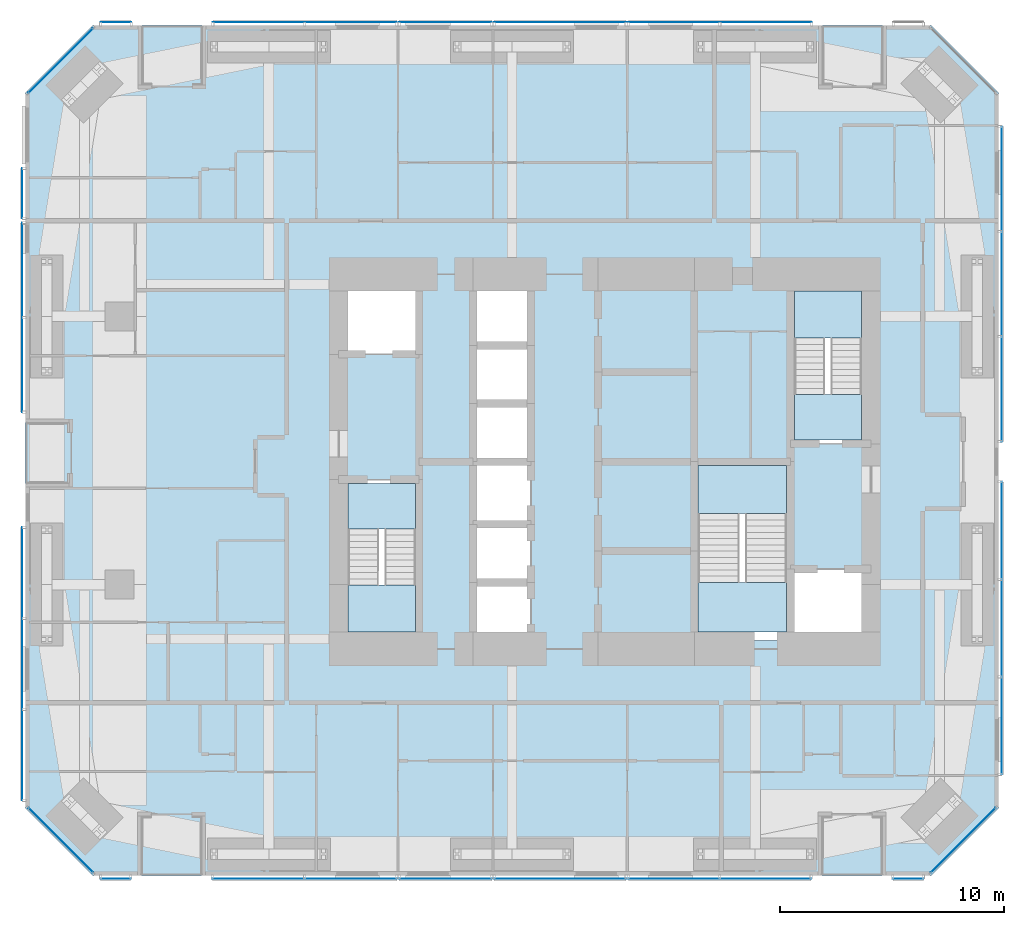
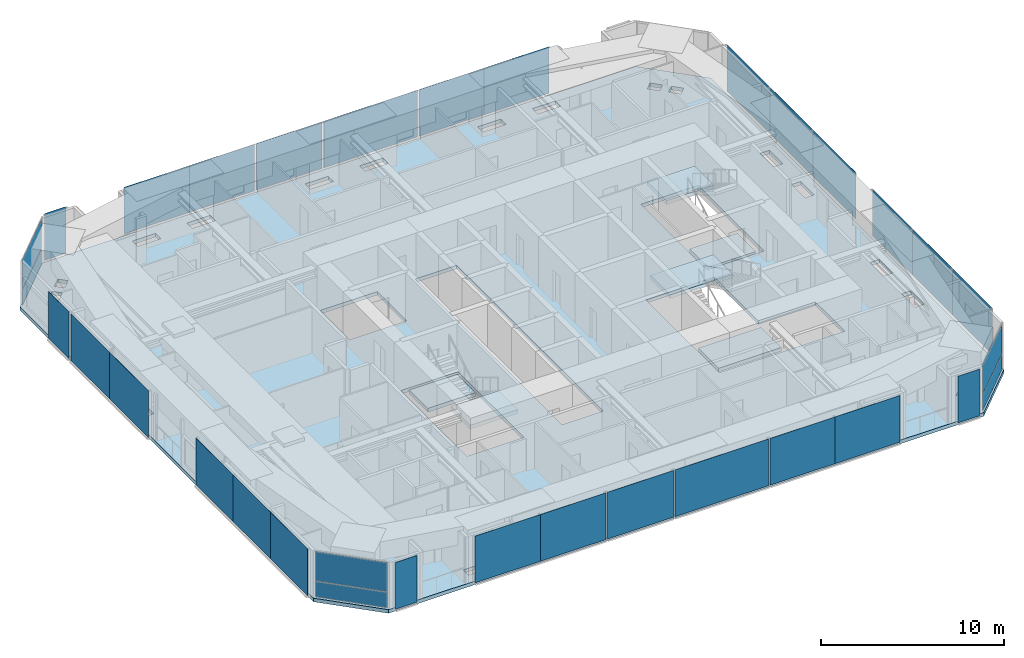
# One storey, part 15 of 23: 33 plates, 7 slabs, 22 elements without a shape of their own.
"""IFC4 building model written with IfcOpenShell, lengths in metres."""

from ifc_helpers import new_model, si_unit, direction, frame, origin, origin_2d, place, context, subcontext, project, spatial, polyline, rectangle, outline, extrude, material, layer, layer_set, type_object, element, aggregate, save


model = new_model("IFC4")

# Units and contexts
model_context = context("Model", 3, precision=1e-05, world=origin(), true_north=direction((0.0, 1.0)))
body_context = subcontext(model_context, "Body", "Model", "MODEL_VIEW")
ifc_project = project(units=[si_unit("LENGTHUNIT", "METRE"), si_unit("AREAUNIT", "SQUARE_METRE"), si_unit("VOLUMEUNIT", "CUBIC_METRE"), si_unit("PLANEANGLEUNIT", "RADIAN"), si_unit("MASSUNIT", "GRAM", prefix="KILO")], contexts=[model_context])

# Site, building, storey
site_placement = place(None, origin())
site = spatial("IfcSite", under=ifc_project, at=site_placement, CompositionType="ELEMENT")
building_placement = place(site_placement, origin())
building = spatial("IfcBuilding", under=site, at=building_placement, Name="Jalousie Tower", CompositionType="ELEMENT")
storey_placement = place(building_placement, frame((0.0, 0.0, 118.25)))
storey = spatial("IfcBuildingStorey", under=building, at=storey_placement, Name="L32", CompositionType="ELEMENT", Elevation=118.25)

# Curtain wall, plates
ifc_material_1 = material(Name="Aluminium curtain wall", Category="aluminium")
curtain_wall_type_1 = type_object("IfcCurtainWallType", Name="CORNER WINDOW WALL", PredefinedType="USERDEFINED", material=ifc_material_1)
curtain_wall_1_placement = place(storey_placement, origin())
curtain_wall_1 = element("IfcCurtainWall", 1, at=curtain_wall_1_placement, inside=storey, type_object=curtain_wall_type_1, Name="Corner Window Wall L32 2", ObjectType="CORNER WINDOW WALL", PredefinedType="USERDEFINED")
ifc_material_2 = material(Name="Laminated impact-rated spandrel glass", Category="glass")
ifc_layer_1 = layer(ifc_material_2, 0.028076171875)
ifc_layer_set_1 = layer_set([ifc_layer_1], Name="Laminated impact-rated spandrel glass")
plate_type_1 = type_object("IfcPlateType", Name="CORNER WINDOW WALL PANEL", PredefinedType="CURTAIN_PANEL", material=ifc_layer_set_1)
plate_1_placement = place(storey_placement, frame((47.9306640625, 1.5693359375, 0.06005859375), z_axis=(0.0, 0.0, 1.0), x_axis=(0.707106781187, 0.707106781187, 0.0)))
plate_1 = element("IfcPlate", 2, at=plate_1_placement, type_object=plate_type_1, Name="CW-C panel 1.1", PredefinedType="CURTAIN_PANEL", context=body_context, shape_type="SweptSolid", body=[
    extrude(rectangle(XDim=4.071533203125, YDim=0.028076171875, at=origin_2d()), origin(), (0.0, 0.0, 1.0), 1.010009765625),
])
plate_2_placement = place(storey_placement, frame((47.9306640625, 1.5693359375, 1.130126953125), z_axis=(0.0, 0.0, 1.0), x_axis=(0.707106781187, 0.707106781187, 0.0)))
plate_2 = element("IfcPlate", 3, at=plate_2_placement, type_object=plate_type_1, Name="CW-C panel 1.2", PredefinedType="CURTAIN_PANEL", context=body_context, shape_type="SweptSolid", body=[
    extrude(rectangle(XDim=4.071533203125, YDim=0.028076171875, at=origin_2d()), origin(), (0.0, 0.0, 1.0), 1.919921875),
])
aggregate(curtain_wall_1, [plate_1, plate_2])

curtain_wall_2_placement = place(storey_placement, origin())
curtain_wall_2 = element("IfcCurtainWall", 4, at=curtain_wall_2_placement, inside=storey, type_object=curtain_wall_type_1, Name="Corner Window Wall L32 6", ObjectType="CORNER WINDOW WALL", PredefinedType="USERDEFINED")
plate_3_placement = place(storey_placement, frame((7.5693359375, 36.4306640625, 0.06005859375), z_axis=(0.0, 0.0, 1.0), x_axis=(-0.707106781187, -0.707106781187, 0.0)))
plate_3 = element("IfcPlate", 5, at=plate_3_placement, type_object=plate_type_1, Name="CW-C panel 1.1", PredefinedType="CURTAIN_PANEL", context=body_context, shape_type="SweptSolid", body=[
    extrude(rectangle(XDim=4.071533203125, YDim=0.028076171875, at=origin_2d()), origin(), (0.0, 0.0, 1.0), 1.010009765625),
])
plate_4_placement = place(storey_placement, frame((7.5693359375, 36.4306640625, 1.130126953125), z_axis=(0.0, 0.0, 1.0), x_axis=(-0.707106781187, -0.707106781187, 0.0)))
plate_4 = element("IfcPlate", 6, at=plate_4_placement, type_object=plate_type_1, Name="CW-C panel 1.2", PredefinedType="CURTAIN_PANEL", context=body_context, shape_type="SweptSolid", body=[
    extrude(rectangle(XDim=4.071533203125, YDim=0.028076171875, at=origin_2d()), origin(), (0.0, 0.0, 1.0), 1.919921875),
])
aggregate(curtain_wall_2, [plate_3, plate_4])

curtain_wall_3_placement = place(storey_placement, origin())
curtain_wall_3 = element("IfcCurtainWall", 7, at=curtain_wall_3_placement, inside=storey, type_object=curtain_wall_type_1, Name="Corner Window Wall L32 8", ObjectType="CORNER WINDOW WALL", PredefinedType="USERDEFINED")
plate_5_placement = place(storey_placement, frame((7.5693359375, 1.5693359375, 0.06005859375), z_axis=(0.0, 0.0, 1.0), x_axis=(0.707106781187, -0.707106781187, 0.0)))
plate_5 = element("IfcPlate", 8, at=plate_5_placement, type_object=plate_type_1, Name="CW-C panel 1.1", PredefinedType="CURTAIN_PANEL", context=body_context, shape_type="SweptSolid", body=[
    extrude(rectangle(XDim=4.071533203125, YDim=0.028076171875, at=origin_2d()), origin(), (0.0, 0.0, 1.0), 1.010009765625),
])
plate_6_placement = place(storey_placement, frame((7.5693359375, 1.5693359375, 1.130126953125), z_axis=(0.0, 0.0, 1.0), x_axis=(0.707106781187, -0.707106781187, 0.0)))
plate_6 = element("IfcPlate", 9, at=plate_6_placement, type_object=plate_type_1, Name="CW-C panel 1.2", PredefinedType="CURTAIN_PANEL", context=body_context, shape_type="SweptSolid", body=[
    extrude(rectangle(XDim=4.071533203125, YDim=0.028076171875, at=origin_2d()), origin(), (0.0, 0.0, 1.0), 1.919921875),
])
aggregate(curtain_wall_3, [plate_5, plate_6])

# Slab
ifc_material_3 = material(Name="Concrete f'c 40 MPa", Category="concrete")
ifc_layer_2 = layer(ifc_material_3, 0.239990234375)
ifc_layer_set_2 = layer_set([ifc_layer_2], Name="Concrete f'c 40 MPa")
slab_type_1 = type_object("IfcSlabType", Name="FLOOR SLAB 240", PredefinedType="FLOOR", material=ifc_layer_set_2)
slab_1_placement = place(storey_placement, frame((0.0, 0.0, -0.239990234375)))
element("IfcSlab", 10, at=slab_1_placement, inside=storey, type_object=slab_type_1, Name="L32 floor slab", PredefinedType="FLOOR", context=body_context, shape_type="SweptSolid", body=[
    extrude(outline(polyline([(9.0, 0.0), (46.5, 0.0), (49.5, 3.0), (49.5, 35.0), (46.5, 38.0), (9.0, 38.0), (6.0, 35.0), (6.0, 3.0), (9.0, 0.0)]), holes=[polyline([(14.425048828125, 1.236083984375), (14.484619140625, 1.236083984375), (15.888916015625, 1.236083984375), (15.888916015625, 0.663818359375), (14.484619140625, 0.663818359375), (14.425048828125, 0.663818359375), (14.425048828125, 1.236083984375)]), polyline([(26.763916015625, 1.236083984375), (26.763916015625, 0.663818359375), (25.359619140625, 0.663818359375), (25.300048828125, 0.663818359375), (25.300048828125, 1.236083984375), (25.359619140625, 1.236083984375), (26.763916015625, 1.236083984375)]), polyline([(17.861083984375, 1.236083984375), (19.265380859375, 1.236083984375), (19.324951171875, 1.236083984375), (19.324951171875, 0.663818359375), (19.265380859375, 0.663818359375), (17.861083984375, 0.663818359375), (17.861083984375, 1.236083984375)]), polyline([(9.39453125, 2.27294921875), (9.505615234375, 2.162109375), (9.505615234375, 2.162109375), (9.302978515625, 1.959716796875), (9.1005859375, 1.75732421875), (8.98974609375, 1.868408203125), (8.98974609375, 1.868408203125), (8.604736328125, 2.25341796875), (9.009521484375, 2.658203125), (9.39453125, 2.27294921875)]), polyline([(7.75732421875, 3.1005859375), (8.162109375, 3.505615234375), (8.658203125, 3.009521484375), (8.25341796875, 2.604736328125), (7.75732421875, 3.1005859375)]), polyline([(7.236083984375, 10.550048828125), (6.663818359375, 10.550048828125), (6.663818359375, 10.609619140625), (6.663818359375, 12.013916015625), (7.236083984375, 12.013916015625), (7.236083984375, 10.609619140625), (7.236083984375, 10.550048828125)]), polyline([(26.0, 10.5), (26.0, 26.5), (28.60009765625, 26.5), (28.60009765625, 10.5), (26.0, 10.5)]), polyline([(20.0, 10.5), (23.60009765625, 10.5), (23.60009765625, 17.699951171875), (20.0, 17.699951171875), (20.0, 10.5)]), polyline([(7.236083984375, 15.390380859375), (7.236083984375, 13.986083984375), (6.663818359375, 13.986083984375), (6.663818359375, 15.390380859375), (6.663818359375, 15.449951171875), (7.236083984375, 15.449951171875), (7.236083984375, 15.390380859375)]), polyline([(6.663818359375, 24.013916015625), (7.236083984375, 24.013916015625), (7.236083984375, 22.609619140625), (7.236083984375, 22.550048828125), (6.663818359375, 22.550048828125), (6.663818359375, 22.609619140625), (6.663818359375, 24.013916015625)]), polyline([(20.0, 23.300048828125), (23.60009765625, 23.300048828125), (23.60009765625, 26.5), (20.0, 26.5), (20.0, 23.300048828125)]), polyline([(7.236083984375, 25.986083984375), (6.663818359375, 25.986083984375), (6.663818359375, 27.390380859375), (6.663818359375, 27.449951171875), (7.236083984375, 27.449951171875), (7.236083984375, 27.390380859375), (7.236083984375, 25.986083984375)]), polyline([(7.868408203125, 35.01025390625), (8.25341796875, 35.395263671875), (8.658203125, 34.990478515625), (8.162109375, 34.494384765625), (7.75732421875, 34.8994140625), (7.868408203125, 35.01025390625)]), polyline([(8.604736328125, 35.74658203125), (9.1005859375, 36.24267578125), (9.505615234375, 35.837890625), (9.39453125, 35.72705078125), (9.009521484375, 35.341796875), (8.604736328125, 35.74658203125)]), polyline([(26.763916015625, 36.763916015625), (25.359619140625, 36.763916015625), (25.300048828125, 36.763916015625), (25.300048828125, 37.336181640625), (25.359619140625, 37.336181640625), (26.763916015625, 37.336181640625), (26.763916015625, 36.763916015625)]), polyline([(19.324951171875, 37.336181640625), (19.324951171875, 36.763916015625), (19.265380859375, 36.763916015625), (17.861083984375, 36.763916015625), (17.861083984375, 37.336181640625), (19.265380859375, 37.336181640625), (19.324951171875, 37.336181640625)]), polyline([(14.425048828125, 36.763916015625), (14.425048828125, 37.336181640625), (14.484619140625, 37.336181640625), (15.888916015625, 37.336181640625), (15.888916015625, 36.763916015625), (14.484619140625, 36.763916015625), (14.425048828125, 36.763916015625)]), polyline([(28.736083984375, 0.663818359375), (28.736083984375, 1.236083984375), (30.140380859375, 1.236083984375), (30.199951171875, 1.236083984375), (30.199951171875, 0.663818359375), (30.140380859375, 0.663818359375), (28.736083984375, 0.663818359375)]), polyline([(36.234619140625, 0.663818359375), (36.175048828125, 0.663818359375), (36.175048828125, 1.236083984375), (36.234619140625, 1.236083984375), (37.638916015625, 1.236083984375), (37.638916015625, 0.663818359375), (36.234619140625, 0.663818359375)]), polyline([(41.015380859375, 1.236083984375), (41.074951171875, 1.236083984375), (41.074951171875, 0.663818359375), (41.015380859375, 0.663818359375), (39.611083984375, 0.663818359375), (39.611083984375, 1.236083984375), (41.015380859375, 1.236083984375)]), polyline([(46.3994140625, 1.75732421875), (45.994384765625, 2.162109375), (46.10546875, 2.27294921875), (46.490478515625, 2.658203125), (46.895263671875, 2.25341796875), (46.51025390625, 1.868408203125), (46.3994140625, 1.75732421875)]), polyline([(47.22705078125, 3.39453125), (47.337890625, 3.505615234375), (47.74267578125, 3.1005859375), (47.631591796875, 2.98974609375), (47.24658203125, 2.604736328125), (46.841796875, 3.009521484375), (47.22705078125, 3.39453125)]), polyline([(48.836181640625, 10.550048828125), (48.263916015625, 10.550048828125), (48.263916015625, 10.609619140625), (48.263916015625, 12.013916015625), (48.836181640625, 12.013916015625), (48.836181640625, 10.609619140625), (48.836181640625, 10.550048828125)]), polyline([(35.89990234375, 18.5), (40.199951171875, 18.5), (40.199951171875, 13.699951171875), (43.800048828125, 13.699951171875), (43.800048828125, 10.5), (35.89990234375, 10.5), (35.89990234375, 18.5)]), polyline([(48.836181640625, 13.986083984375), (48.263916015625, 13.986083984375), (48.263916015625, 15.390380859375), (48.263916015625, 15.449951171875), (48.836181640625, 15.449951171875), (48.836181640625, 15.390380859375), (48.836181640625, 13.986083984375)]), polyline([(40.199951171875, 19.300048828125), (43.800048828125, 19.300048828125), (43.800048828125, 26.5), (40.199951171875, 26.5), (40.199951171875, 19.300048828125)]), polyline([(48.836181640625, 22.550048828125), (48.263916015625, 22.550048828125), (48.263916015625, 22.609619140625), (48.263916015625, 24.013916015625), (48.836181640625, 24.013916015625), (48.836181640625, 22.609619140625), (48.836181640625, 22.550048828125)]), polyline([(48.836181640625, 27.390380859375), (48.836181640625, 25.986083984375), (48.263916015625, 25.986083984375), (48.263916015625, 27.390380859375), (48.263916015625, 27.449951171875), (48.836181640625, 27.449951171875), (48.836181640625, 27.390380859375)]), polyline([(47.631591796875, 35.01025390625), (47.74267578125, 34.8994140625), (47.540283203125, 34.697021484375), (47.337890625, 34.494384765625), (47.22705078125, 34.60546875), (46.841796875, 34.990478515625), (47.24658203125, 35.395263671875), (47.631591796875, 35.01025390625)]), polyline([(46.3994140625, 36.24267578125), (46.51025390625, 36.131591796875), (46.895263671875, 35.74658203125), (46.490478515625, 35.341796875), (46.10546875, 35.72705078125), (45.994384765625, 35.837890625), (46.197021484375, 36.040283203125), (46.3994140625, 36.24267578125)]), polyline([(41.015380859375, 37.336181640625), (41.074951171875, 37.336181640625), (41.074951171875, 36.763916015625), (41.015380859375, 36.763916015625), (39.611083984375, 36.763916015625), (39.611083984375, 37.336181640625), (41.015380859375, 37.336181640625)]), polyline([(37.638916015625, 37.336181640625), (37.638916015625, 36.763916015625), (36.234619140625, 36.763916015625), (36.175048828125, 36.763916015625), (36.175048828125, 37.336181640625), (36.234619140625, 37.336181640625), (37.638916015625, 37.336181640625)]), polyline([(28.736083984375, 37.336181640625), (30.140380859375, 37.336181640625), (30.199951171875, 37.336181640625), (30.199951171875, 36.763916015625), (30.140380859375, 36.763916015625), (28.736083984375, 36.763916015625), (28.736083984375, 37.336181640625)])]), origin(), (0.0, 0.0, 1.0), 0.239990234375),
])

# Curtain wall, plate
ifc_material_4 = material(Name="Perforated aluminium sheet", Category="aluminium")
curtain_wall_type_2 = type_object("IfcCurtainWallType", Name="SOLAR SCREEN SS-1", PredefinedType="USERDEFINED", material=ifc_material_4)
curtain_wall_4_placement = place(storey_placement, origin())
curtain_wall_4 = element("IfcCurtainWall", 11, at=curtain_wall_4_placement, inside=storey, type_object=curtain_wall_type_2, Name="Solar screen L32", ObjectType="SOLAR SCREEN SS-1", PredefinedType="USERDEFINED")
ifc_material_5 = material(Name="Perforated aluminium sheet", Category="aluminium")
ifc_layer_3 = layer(ifc_material_5, 0.006103515625)
ifc_layer_set_3 = layer_set([ifc_layer_3], Name="Perforated aluminium sheet")
plate_type_2 = type_object("IfcPlateType", Name="SOLAR SCREEN SS-1 PANEL", PredefinedType="CURTAIN_PANEL", material=ifc_layer_set_3)
plate_7_placement = place(storey_placement, frame((10.0263671875, -0.150390625, 0.0), z_axis=(0.0, 0.0, 1.0), x_axis=(1.0, 0.0, 0.0)))
plate_7 = element("IfcPlate", 12, at=plate_7_placement, type_object=plate_type_2, Name="SS1 perforated panel 1", PredefinedType="CURTAIN_PANEL", context=body_context, shape_type="SweptSolid", body=[
    extrude(rectangle(XDim=1.35009765625, YDim=0.006103515625, at=origin_2d()), origin(), (0.0, 0.0, 1.0), 3.110107421875),
])
aggregate(curtain_wall_4, [plate_7])

# Curtain wall, plates
curtain_wall_5_placement = place(storey_placement, origin())
curtain_wall_5 = element("IfcCurtainWall", 13, at=curtain_wall_5_placement, inside=storey, type_object=curtain_wall_type_2, Name="Solar screen L32", ObjectType="SOLAR SCREEN SS-1", PredefinedType="USERDEFINED")
plate_8_placement = place(storey_placement, frame((16.41357421875, -0.150390625, 0.0), z_axis=(0.0, 0.0, 1.0), x_axis=(1.0, 0.0, 0.0)))
plate_8 = element("IfcPlate", 14, at=plate_8_placement, type_object=plate_type_2, Name="SS1 perforated panel 1", PredefinedType="CURTAIN_PANEL", context=body_context, shape_type="SweptSolid", body=[
    extrude(rectangle(XDim=4.12451171875, YDim=0.006103515625, at=origin_2d()), origin(), (0.0, 0.0, 1.0), 3.110107421875),
])
plate_9_placement = place(storey_placement, frame((20.537841796875, -0.150390625, 0.0), z_axis=(0.0, 0.0, 1.0), x_axis=(1.0, 0.0, 0.0)))
plate_9 = element("IfcPlate", 15, at=plate_9_placement, type_object=plate_type_2, Name="SS1 perforated panel 2", PredefinedType="CURTAIN_PANEL", context=body_context, shape_type="SweptSolid", body=[
    extrude(rectangle(XDim=4.12451171875, YDim=0.006103515625, at=origin_2d()), origin(), (0.0, 0.0, 1.0), 3.110107421875),
])
aggregate(curtain_wall_5, [plate_8, plate_9])

# Curtain wall, plate
curtain_wall_6_placement = place(storey_placement, origin())
curtain_wall_6 = element("IfcCurtainWall", 16, at=curtain_wall_6_placement, inside=storey, type_object=curtain_wall_type_2, Name="Solar screen L32", ObjectType="SOLAR SCREEN SS-1", PredefinedType="USERDEFINED")
plate_10_placement = place(storey_placement, frame((24.77490234375, -0.150390625, 0.0), z_axis=(0.0, 0.0, 1.0), x_axis=(1.0, 0.0, 0.0)))
plate_10 = element("IfcPlate", 17, at=plate_10_placement, type_object=plate_type_2, Name="SS1 perforated panel 1", PredefinedType="CURTAIN_PANEL", context=body_context, shape_type="SweptSolid", body=[
    extrude(rectangle(XDim=4.14990234375, YDim=0.006103515625, at=origin_2d()), origin(), (0.0, 0.0, 1.0), 3.110107421875),
])
aggregate(curtain_wall_6, [plate_10])

curtain_wall_7_placement = place(storey_placement, origin())
curtain_wall_7 = element("IfcCurtainWall", 18, at=curtain_wall_7_placement, inside=storey, type_object=curtain_wall_type_2, Name="Solar screen L32", ObjectType="SOLAR SCREEN SS-1", PredefinedType="USERDEFINED")
plate_11_placement = place(storey_placement, frame((29.89990234375, -0.150390625, 0.0), z_axis=(0.0, 0.0, 1.0), x_axis=(1.0, 0.0, 0.0)))
plate_11 = element("IfcPlate", 19, at=plate_11_placement, type_object=plate_type_2, Name="SS1 perforated panel 1", PredefinedType="CURTAIN_PANEL", context=body_context, shape_type="SweptSolid", body=[
    extrude(rectangle(XDim=5.89990234375, YDim=0.006103515625, at=origin_2d()), origin(), (0.0, 0.0, 1.0), 3.110107421875),
])
aggregate(curtain_wall_7, [plate_11])

# Curtain wall, plates
curtain_wall_8_placement = place(storey_placement, origin())
curtain_wall_8 = element("IfcCurtainWall", 20, at=curtain_wall_8_placement, inside=storey, type_object=curtain_wall_type_2, Name="Solar screen L32", ObjectType="SOLAR SCREEN SS-1", PredefinedType="USERDEFINED")
plate_12_placement = place(storey_placement, frame((34.993896484375, -0.150390625, 0.0), z_axis=(0.0, 0.0, 1.0), x_axis=(1.0, 0.0, 0.0)))
plate_12 = element("IfcPlate", 21, at=plate_12_placement, type_object=plate_type_2, Name="SS1 perforated panel 1", PredefinedType="CURTAIN_PANEL", context=body_context, shape_type="SweptSolid", body=[
    extrude(rectangle(XDim=4.08740234375, YDim=0.006103515625, at=origin_2d()), origin(), (0.0, 0.0, 1.0), 3.110107421875),
])
plate_13_placement = place(storey_placement, frame((39.081298828125, -0.150390625, 0.0), z_axis=(0.0, 0.0, 1.0), x_axis=(1.0, 0.0, 0.0)))
plate_13 = element("IfcPlate", 22, at=plate_13_placement, type_object=plate_type_2, Name="SS1 perforated panel 2", PredefinedType="CURTAIN_PANEL", context=body_context, shape_type="SweptSolid", body=[
    extrude(rectangle(XDim=4.08740234375, YDim=0.006103515625, at=origin_2d()), origin(), (0.0, 0.0, 1.0), 3.110107421875),
])
aggregate(curtain_wall_8, [plate_12, plate_13])

# Curtain wall, plate
curtain_wall_9_placement = place(storey_placement, origin())
curtain_wall_9 = element("IfcCurtainWall", 23, at=curtain_wall_9_placement, inside=storey, type_object=curtain_wall_type_2, Name="Solar screen L32", ObjectType="SOLAR SCREEN SS-1", PredefinedType="USERDEFINED")
plate_14_placement = place(storey_placement, frame((45.4619140625, -0.150390625, 0.0), z_axis=(0.0, 0.0, 1.0), x_axis=(1.0, 0.0, 0.0)))
plate_14 = element("IfcPlate", 24, at=plate_14_placement, type_object=plate_type_2, Name="SS1 perforated panel 1", PredefinedType="CURTAIN_PANEL", context=body_context, shape_type="SweptSolid", body=[
    extrude(rectangle(XDim=1.373779296875, YDim=0.006103515625, at=origin_2d()), origin(), (0.0, 0.0, 1.0), 3.110107421875),
])
aggregate(curtain_wall_9, [plate_14])

# Curtain wall, plates
curtain_wall_10_placement = place(storey_placement, origin())
curtain_wall_10 = element("IfcCurtainWall", 25, at=curtain_wall_10_placement, inside=storey, type_object=curtain_wall_type_2, Name="Solar screen L32", ObjectType="SOLAR SCREEN SS-1", PredefinedType="USERDEFINED")
plate_15_placement = place(storey_placement, frame((49.650390625, 6.69482421875, 0.0), z_axis=(0.0, 0.0, 1.0), x_axis=(0.0, 1.0, 0.0)))
plate_15 = element("IfcPlate", 26, at=plate_15_placement, type_object=plate_type_2, Name="SS1 perforated panel 1", PredefinedType="CURTAIN_PANEL", context=body_context, shape_type="SweptSolid", body=[
    extrude(rectangle(XDim=4.362060546875, YDim=0.006103515625, at=origin_2d()), origin(), (0.0, 0.0, 1.0), 3.110107421875),
])
plate_16_placement = place(storey_placement, frame((49.650390625, 11.056884765625, 0.0), z_axis=(0.0, 0.0, 1.0), x_axis=(0.0, 1.0, 0.0)))
plate_16 = element("IfcPlate", 27, at=plate_16_placement, type_object=plate_type_2, Name="SS1 perforated panel 2", PredefinedType="CURTAIN_PANEL", context=body_context, shape_type="SweptSolid", body=[
    extrude(rectangle(XDim=4.362060546875, YDim=0.006103515625, at=origin_2d()), origin(), (0.0, 0.0, 1.0), 3.110107421875),
])
plate_17_placement = place(storey_placement, frame((49.650390625, 15.4189453125, 0.0), z_axis=(0.0, 0.0, 1.0), x_axis=(0.0, 1.0, 0.0)))
plate_17 = element("IfcPlate", 28, at=plate_17_placement, type_object=plate_type_2, Name="SS1 perforated panel 3", PredefinedType="CURTAIN_PANEL", context=body_context, shape_type="SweptSolid", body=[
    extrude(rectangle(XDim=4.362060546875, YDim=0.006103515625, at=origin_2d()), origin(), (0.0, 0.0, 1.0), 3.110107421875),
])
aggregate(curtain_wall_10, [plate_15, plate_16, plate_17])

curtain_wall_11_placement = place(storey_placement, origin())
curtain_wall_11 = element("IfcCurtainWall", 29, at=curtain_wall_11_placement, inside=storey, type_object=curtain_wall_type_2, Name="Solar screen L32", ObjectType="SOLAR SCREEN SS-1", PredefinedType="USERDEFINED")
plate_18_placement = place(storey_placement, frame((49.650390625, 21.747802734375, 0.0), z_axis=(0.0, 0.0, 1.0), x_axis=(0.0, 1.0, 0.0)))
plate_18 = element("IfcPlate", 30, at=plate_18_placement, type_object=plate_type_2, Name="SS1 perforated panel 1", PredefinedType="CURTAIN_PANEL", context=body_context, shape_type="SweptSolid", body=[
    extrude(rectangle(XDim=4.6953125, YDim=0.006103515625, at=origin_2d()), origin(), (0.0, 0.0, 1.0), 3.110107421875),
])
plate_19_placement = place(storey_placement, frame((49.650390625, 26.443115234375, 0.0), z_axis=(0.0, 0.0, 1.0), x_axis=(0.0, 1.0, 0.0)))
plate_19 = element("IfcPlate", 31, at=plate_19_placement, type_object=plate_type_2, Name="SS1 perforated panel 2", PredefinedType="CURTAIN_PANEL", context=body_context, shape_type="SweptSolid", body=[
    extrude(rectangle(XDim=4.6953125, YDim=0.006103515625, at=origin_2d()), origin(), (0.0, 0.0, 1.0), 3.110107421875),
])
plate_20_placement = place(storey_placement, frame((49.650390625, 31.138427734375, 0.0), z_axis=(0.0, 0.0, 1.0), x_axis=(0.0, 1.0, 0.0)))
plate_20 = element("IfcPlate", 32, at=plate_20_placement, type_object=plate_type_2, Name="SS1 perforated panel 3", PredefinedType="CURTAIN_PANEL", context=body_context, shape_type="SweptSolid", body=[
    extrude(rectangle(XDim=4.6953125, YDim=0.006103515625, at=origin_2d()), origin(), (0.0, 0.0, 1.0), 3.110107421875),
])
aggregate(curtain_wall_11, [plate_18, plate_19, plate_20])

curtain_wall_12_placement = place(storey_placement, origin())
curtain_wall_12 = element("IfcCurtainWall", 33, at=curtain_wall_12_placement, inside=storey, type_object=curtain_wall_type_2, Name="Solar screen L32", ObjectType="SOLAR SCREEN SS-1", PredefinedType="USERDEFINED")
plate_21_placement = place(storey_placement, frame((39.09912109375, 38.150390625, 0.0), z_axis=(0.0, 0.0, 1.0), x_axis=(-1.0, 0.0, 0.0)))
plate_21 = element("IfcPlate", 34, at=plate_21_placement, type_object=plate_type_2, Name="SS1 perforated panel 1", PredefinedType="CURTAIN_PANEL", context=body_context, shape_type="SweptSolid", body=[
    extrude(rectangle(XDim=4.099365234375, YDim=0.006103515625, at=origin_2d()), origin(), (0.0, 0.0, 1.0), 3.110107421875),
])
plate_22_placement = place(storey_placement, frame((34.999755859375, 38.150390625, 0.0), z_axis=(0.0, 0.0, 1.0), x_axis=(-1.0, 0.0, 0.0)))
plate_22 = element("IfcPlate", 35, at=plate_22_placement, type_object=plate_type_2, Name="SS1 perforated panel 2", PredefinedType="CURTAIN_PANEL", context=body_context, shape_type="SweptSolid", body=[
    extrude(rectangle(XDim=4.099365234375, YDim=0.006103515625, at=origin_2d()), origin(), (0.0, 0.0, 1.0), 3.110107421875),
])
aggregate(curtain_wall_12, [plate_21, plate_22])

# Curtain wall, plate
curtain_wall_13_placement = place(storey_placement, origin())
curtain_wall_13 = element("IfcCurtainWall", 36, at=curtain_wall_13_placement, inside=storey, type_object=curtain_wall_type_2, Name="Solar screen L32", ObjectType="SOLAR SCREEN SS-1", PredefinedType="USERDEFINED")
plate_23_placement = place(storey_placement, frame((29.89990234375, 38.150390625, 0.0), z_axis=(0.0, 0.0, 1.0), x_axis=(-1.0, 0.0, 0.0)))
plate_23 = element("IfcPlate", 37, at=plate_23_placement, type_object=plate_type_2, Name="SS1 perforated panel 1", PredefinedType="CURTAIN_PANEL", context=body_context, shape_type="SweptSolid", body=[
    extrude(rectangle(XDim=5.89990234375, YDim=0.006103515625, at=origin_2d()), origin(), (0.0, 0.0, 1.0), 3.110107421875),
])
aggregate(curtain_wall_13, [plate_23])

curtain_wall_14_placement = place(storey_placement, origin())
curtain_wall_14 = element("IfcCurtainWall", 38, at=curtain_wall_14_placement, inside=storey, type_object=curtain_wall_type_2, Name="Solar screen L32", ObjectType="SOLAR SCREEN SS-1", PredefinedType="USERDEFINED")
plate_24_placement = place(storey_placement, frame((24.77490234375, 38.150390625, 0.0), z_axis=(0.0, 0.0, 1.0), x_axis=(-1.0, 0.0, 0.0)))
plate_24 = element("IfcPlate", 39, at=plate_24_placement, type_object=plate_type_2, Name="SS1 perforated panel 1", PredefinedType="CURTAIN_PANEL", context=body_context, shape_type="SweptSolid", body=[
    extrude(rectangle(XDim=4.14990234375, YDim=0.006103515625, at=origin_2d()), origin(), (0.0, 0.0, 1.0), 3.110107421875),
])
aggregate(curtain_wall_14, [plate_24])

# Curtain wall, plates
curtain_wall_15_placement = place(storey_placement, origin())
curtain_wall_15 = element("IfcCurtainWall", 40, at=curtain_wall_15_placement, inside=storey, type_object=curtain_wall_type_2, Name="Solar screen L32", ObjectType="SOLAR SCREEN SS-1", PredefinedType="USERDEFINED")
plate_25_placement = place(storey_placement, frame((20.543701171875, 38.150390625, 0.0), z_axis=(0.0, 0.0, 1.0), x_axis=(-1.0, 0.0, 0.0)))
plate_25 = element("IfcPlate", 41, at=plate_25_placement, type_object=plate_type_2, Name="SS1 perforated panel 1", PredefinedType="CURTAIN_PANEL", context=body_context, shape_type="SweptSolid", body=[
    extrude(rectangle(XDim=4.112548828125, YDim=0.006103515625, at=origin_2d()), origin(), (0.0, 0.0, 1.0), 3.110107421875),
])
plate_26_placement = place(storey_placement, frame((16.43115234375, 38.150390625, 0.0), z_axis=(0.0, 0.0, 1.0), x_axis=(-1.0, 0.0, 0.0)))
plate_26 = element("IfcPlate", 42, at=plate_26_placement, type_object=plate_type_2, Name="SS1 perforated panel 2", PredefinedType="CURTAIN_PANEL", context=body_context, shape_type="SweptSolid", body=[
    extrude(rectangle(XDim=4.112548828125, YDim=0.006103515625, at=origin_2d()), origin(), (0.0, 0.0, 1.0), 3.110107421875),
])
aggregate(curtain_wall_15, [plate_25, plate_26])

# Curtain wall, plate
curtain_wall_16_placement = place(storey_placement, origin())
curtain_wall_16 = element("IfcCurtainWall", 43, at=curtain_wall_16_placement, inside=storey, type_object=curtain_wall_type_2, Name="Solar screen L32", ObjectType="SOLAR SCREEN SS-1", PredefinedType="USERDEFINED")
plate_27_placement = place(storey_placement, frame((10.0380859375, 38.150390625, 0.0), z_axis=(0.0, 0.0, 1.0), x_axis=(-1.0, 0.0, 0.0)))
plate_27 = element("IfcPlate", 44, at=plate_27_placement, type_object=plate_type_2, Name="SS1 perforated panel 1", PredefinedType="CURTAIN_PANEL", context=body_context, shape_type="SweptSolid", body=[
    extrude(rectangle(XDim=1.373779296875, YDim=0.006103515625, at=origin_2d()), origin(), (0.0, 0.0, 1.0), 3.110107421875),
])
aggregate(curtain_wall_16, [plate_27])

curtain_wall_17_placement = place(storey_placement, origin())
curtain_wall_17 = element("IfcCurtainWall", 45, at=curtain_wall_17_placement, inside=storey, type_object=curtain_wall_type_2, Name="Solar screen L32", ObjectType="SOLAR SCREEN SS-1", PredefinedType="USERDEFINED")
plate_28_placement = place(storey_placement, frame((5.849609375, 30.49365234375, 0.0), z_axis=(0.0, 0.0, 1.0), x_axis=(0.0, -1.0, 0.0)))
plate_28 = element("IfcPlate", 46, at=plate_28_placement, type_object=plate_type_2, Name="SS1 perforated panel 1", PredefinedType="CURTAIN_PANEL", context=body_context, shape_type="SweptSolid", body=[
    extrude(rectangle(XDim=2.2373046875, YDim=0.006103515625, at=origin_2d()), origin(), (0.0, 0.0, 1.0), 3.110107421875),
])
aggregate(curtain_wall_17, [plate_28])

# Curtain wall, plates
curtain_wall_18_placement = place(storey_placement, origin())
curtain_wall_18 = element("IfcCurtainWall", 47, at=curtain_wall_18_placement, inside=storey, type_object=curtain_wall_type_2, Name="Solar screen L32", ObjectType="SOLAR SCREEN SS-1", PredefinedType="USERDEFINED")
plate_29_placement = place(storey_placement, frame((5.849609375, 27.060302734375, 0.0), z_axis=(0.0, 0.0, 1.0), x_axis=(0.0, -1.0, 0.0)))
plate_29 = element("IfcPlate", 48, at=plate_29_placement, type_object=plate_type_2, Name="SS1 perforated panel 1", PredefinedType="CURTAIN_PANEL", context=body_context, shape_type="SweptSolid", body=[
    extrude(rectangle(XDim=4.229248046875, YDim=0.006103515625, at=origin_2d()), origin(), (0.0, 0.0, 1.0), 3.110107421875),
])
plate_30_placement = place(storey_placement, frame((5.849609375, 22.831298828125, 0.0), z_axis=(0.0, 0.0, 1.0), x_axis=(0.0, -1.0, 0.0)))
plate_30 = element("IfcPlate", 49, at=plate_30_placement, type_object=plate_type_2, Name="SS1 perforated panel 2", PredefinedType="CURTAIN_PANEL", context=body_context, shape_type="SweptSolid", body=[
    extrude(rectangle(XDim=4.229248046875, YDim=0.006103515625, at=origin_2d()), origin(), (0.0, 0.0, 1.0), 3.110107421875),
])
aggregate(curtain_wall_18, [plate_29, plate_30])

curtain_wall_19_placement = place(storey_placement, origin())
curtain_wall_19 = element("IfcCurtainWall", 50, at=curtain_wall_19_placement, inside=storey, type_object=curtain_wall_type_2, Name="Solar screen L32", ObjectType="SOLAR SCREEN SS-1", PredefinedType="USERDEFINED")
plate_31_placement = place(storey_placement, frame((5.849609375, 13.523681640625, 0.0), z_axis=(0.0, 0.0, 1.0), x_axis=(0.0, -1.0, 0.0)))
plate_31 = element("IfcPlate", 51, at=plate_31_placement, type_object=plate_type_2, Name="SS1 perforated panel 1", PredefinedType="CURTAIN_PANEL", context=body_context, shape_type="SweptSolid", body=[
    extrude(rectangle(XDim=4.069091796875, YDim=0.006103515625, at=origin_2d()), origin(), (0.0, 0.0, 1.0), 3.110107421875),
])
plate_32_placement = place(storey_placement, frame((5.849609375, 9.454833984375, 0.0), z_axis=(0.0, 0.0, 1.0), x_axis=(0.0, -1.0, 0.0)))
plate_32 = element("IfcPlate", 52, at=plate_32_placement, type_object=plate_type_2, Name="SS1 perforated panel 2", PredefinedType="CURTAIN_PANEL", context=body_context, shape_type="SweptSolid", body=[
    extrude(rectangle(XDim=4.069091796875, YDim=0.006103515625, at=origin_2d()), origin(), (0.0, 0.0, 1.0), 3.110107421875),
])
plate_33_placement = place(storey_placement, frame((5.849609375, 5.3857421875, 0.0), z_axis=(0.0, 0.0, 1.0), x_axis=(0.0, -1.0, 0.0)))
plate_33 = element("IfcPlate", 53, at=plate_33_placement, type_object=plate_type_2, Name="SS1 perforated panel 3", PredefinedType="CURTAIN_PANEL", context=body_context, shape_type="SweptSolid", body=[
    extrude(rectangle(XDim=4.069091796875, YDim=0.006103515625, at=origin_2d()), origin(), (0.0, 0.0, 1.0), 3.110107421875),
])
aggregate(curtain_wall_19, [plate_31, plate_32, plate_33])

# Stair, slabs
ifc_material_6 = material(Name="Concrete f'c 40 MPa", Category="concrete")
stair_type = type_object("IfcStairType", Name="EXIT STAIR", PredefinedType="HALF_TURN_STAIR", material=ifc_material_6)
stair_1_placement = place(storey_placement, origin())
stair_1 = element("IfcStair", 54, at=stair_1_placement, inside=storey, type_object=stair_type, Name="Exit stair A L32", PredefinedType="HALF_TURN_STAIR")
ifc_material_7 = material(Name="Concrete f'c 40 MPa", Category="concrete")
ifc_layer_4 = layer(ifc_material_7, 0.25)
ifc_layer_set_4 = layer_set([ifc_layer_4], Name="Concrete f'c 40 MPa")
slab_type_2 = type_object("IfcSlabType", Name="STAIR LANDING 250", PredefinedType="LANDING", material=ifc_layer_set_4)
slab_2_placement = place(storey_placement, frame((0.0, 0.0, -0.25)))
slab_2 = element("IfcSlab", 55, at=slab_2_placement, type_object=slab_type_2, Name="ST-A landing 1", PredefinedType="LANDING", context=body_context, shape_type="SweptSolid", body=[
    extrude(outline(polyline([(20.425048828125, 15.49755859375), (23.425048828125, 15.49755859375), (23.425048828125, 17.52490234375), (20.425048828125, 17.52490234375), (20.425048828125, 15.49755859375)])), origin(), (0.0, 0.0, 1.0), 0.25),
])
slab_3_placement = place(storey_placement, frame((0.0, 0.0, 1.425048828125)))
slab_3 = element("IfcSlab", 56, at=slab_3_placement, type_object=slab_type_2, Name="ST-A landing 2", PredefinedType="LANDING", context=body_context, shape_type="SweptSolid", body=[
    extrude(outline(polyline([(20.425048828125, 10.875), (23.425048828125, 10.875), (23.425048828125, 12.9775390625), (20.425048828125, 12.9775390625), (20.425048828125, 10.875)])), origin(), (0.0, 0.0, 1.0), 0.25),
])
aggregate(stair_1, [slab_2, slab_3])

stair_2_placement = place(storey_placement, origin())
stair_2 = element("IfcStair", 57, at=stair_2_placement, inside=storey, type_object=stair_type, Name="Exit stair B L32", PredefinedType="HALF_TURN_STAIR")
slab_4_placement = place(storey_placement, frame((0.0, 0.0, -0.25)))
slab_4 = element("IfcSlab", 58, at=slab_4_placement, type_object=slab_type_2, Name="ST-B landing 1", PredefinedType="LANDING", context=body_context, shape_type="SweptSolid", body=[
    extrude(outline(polyline([(40.375, 19.47509765625), (43.375, 19.47509765625), (43.375, 21.50244140625), (40.375, 21.50244140625), (40.375, 19.47509765625)])), origin(), (0.0, 0.0, 1.0), 0.25),
])
slab_5_placement = place(storey_placement, frame((0.0, 0.0, 1.425048828125)))
slab_5 = element("IfcSlab", 59, at=slab_5_placement, type_object=slab_type_2, Name="ST-B landing 2", PredefinedType="LANDING", context=body_context, shape_type="SweptSolid", body=[
    extrude(outline(polyline([(40.375, 24.0224609375), (43.375, 24.0224609375), (43.375, 26.125), (40.375, 26.125), (40.375, 24.0224609375)])), origin(), (0.0, 0.0, 1.0), 0.25),
])
aggregate(stair_2, [slab_4, slab_5])

stair_3_placement = place(storey_placement, origin())
stair_3 = element("IfcStair", 60, at=stair_3_placement, inside=storey, type_object=stair_type, Name="Exit stair C L32", PredefinedType="HALF_TURN_STAIR")
slab_6_placement = place(storey_placement, frame((0.0, 0.0, -0.25)))
slab_6 = element("IfcSlab", 61, at=slab_6_placement, type_object=slab_type_2, Name="ST-C landing 1", PredefinedType="LANDING", context=body_context, shape_type="SweptSolid", body=[
    extrude(outline(polyline([(36.074951171875, 10.875), (40.02490234375, 10.875), (40.02490234375, 13.097412109375), (36.074951171875, 13.097412109375), (36.074951171875, 10.875)])), origin(), (0.0, 0.0, 1.0), 0.25),
])
slab_7_placement = place(storey_placement, frame((0.0, 0.0, 1.425048828125)))
slab_7 = element("IfcSlab", 62, at=slab_7_placement, type_object=slab_type_2, Name="ST-C landing 2", PredefinedType="LANDING", context=body_context, shape_type="SweptSolid", body=[
    extrude(outline(polyline([(36.074951171875, 16.177490234375), (40.02490234375, 16.177490234375), (40.02490234375, 18.324951171875), (36.074951171875, 18.324951171875), (36.074951171875, 16.177490234375)])), origin(), (0.0, 0.0, 1.0), 0.25),
])
aggregate(stair_3, [slab_6, slab_7])

save(model, "model.ifc")
